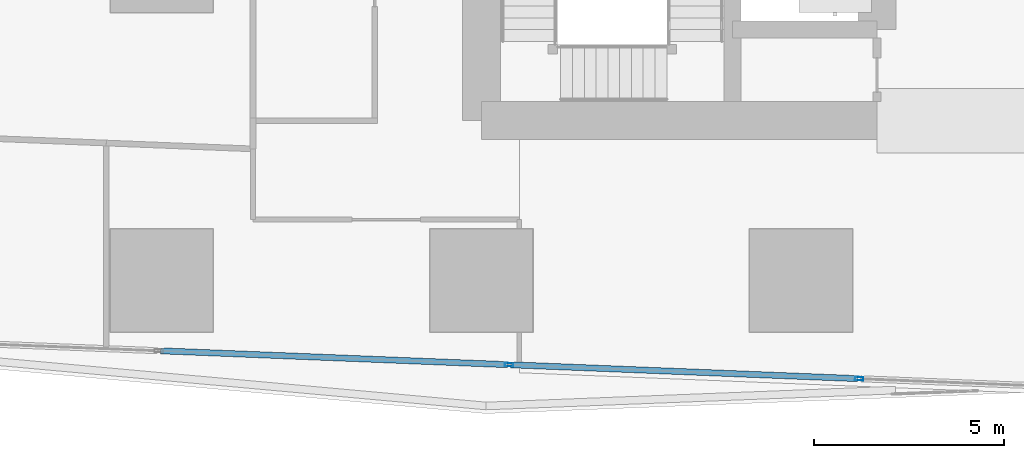
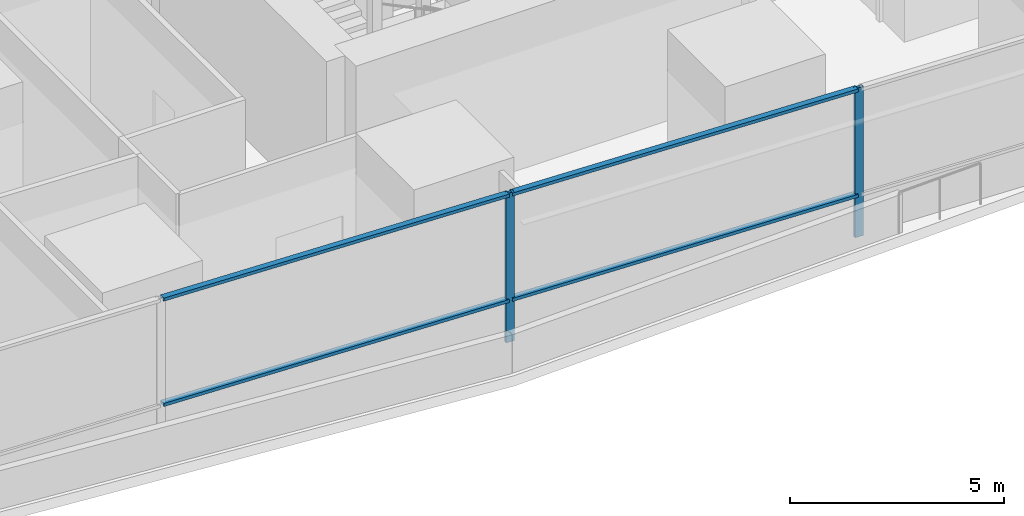
# One storey, part 3 of 39: 6 members, 1 element without a shape of its own.
"""IFC4 building model written with IfcOpenShell, lengths in metres."""

from ifc_helpers import new_model, si_unit, direction, frame, origin, origin_2d, place, context, subcontext, project, spatial, hollow_rectangle, extrude, material, material_profile, profile_set, type_object, element, aggregate, save


model = new_model("IFC4")

# Units and contexts
model_context = context("Model", 3, precision=1e-05, world=origin(), true_north=direction((0.0, 1.0)))
body_context = subcontext(model_context, "Body", "Model", "MODEL_VIEW")
ifc_project = project(units=[si_unit("LENGTHUNIT", "METRE"), si_unit("AREAUNIT", "SQUARE_METRE"), si_unit("VOLUMEUNIT", "CUBIC_METRE"), si_unit("PLANEANGLEUNIT", "RADIAN"), si_unit("MASSUNIT", "GRAM", prefix="KILO")], contexts=[model_context])

# Site, building, storey
site_placement = place(None, origin())
site = spatial("IfcSite", under=ifc_project, at=site_placement, CompositionType="ELEMENT")
building_placement = place(site_placement, origin())
building = spatial("IfcBuilding", under=site, at=building_placement, Name="Rekha Terrace Tower", CompositionType="ELEMENT")
storey_placement = place(building_placement, frame((0.0, 0.0, 168.199951171875)))
storey = spatial("IfcBuildingStorey", under=building, at=storey_placement, Name="L42", CompositionType="ELEMENT", Elevation=168.199951171875)

# Curtain wall, members
ifc_material_1 = material(Name="Aluminium framing", Category="aluminium")
curtain_wall_type = type_object("IfcCurtainWallType", Name="CW5 sky garden glazing", PredefinedType="USERDEFINED", material=ifc_material_1)
curtain_wall_placement = place(storey_placement, origin())
curtain_wall = element("IfcCurtainWall", 1, at=curtain_wall_placement, inside=storey, type_object=curtain_wall_type, Name="CW5 sky garden curtain wall", ObjectType="SKY GARDEN CURTAIN WALL", PredefinedType="USERDEFINED")
ifc_material_2 = material(Name="Aluminium mullion section", Category="aluminium")
ifc_material_profile_1 = material_profile(ifc_material_2, hollow_rectangle(XDim=0.090087890625, YDim=0.219970703125, WallThickness=0.00390625, at=origin_2d()), Name="AL RHS 90x220")
ifc_profile_set_1 = profile_set([ifc_material_profile_1], Name="Aluminium mullion section")
member_type_1 = type_object("IfcMemberType", Name="CW5 mullion RHS 90 x 220", PredefinedType="MULLION", material=ifc_profile_set_1)
member_1_placement = place(storey_placement, frame((25.928955078125, 14.584716796875, 0.0), z_axis=(0.0, 0.0, 1.0), x_axis=(0.039872497044, 0.999204775799, 0.0)))
member_1 = element("IfcMember", 2, at=member_1_placement, type_object=member_type_1, Name="CW5 mullion 3", PredefinedType="MULLION", context=body_context, shape_type="SweptSolid", body=[
    extrude(hollow_rectangle(XDim=0.090087890625, YDim=0.219970703125, WallThickness=0.00390625, at=origin_2d()), origin(), (0.0, 0.0, 1.0), 4.25),
])
member_2_placement = place(storey_placement, frame((35.1318359375, 14.217529296875, 0.0), z_axis=(0.0, 0.0, 1.0), x_axis=(0.039872497044, 0.999204775799, 0.0)))
member_2 = element("IfcMember", 3, at=member_2_placement, type_object=member_type_1, Name="CW5 mullion 4", PredefinedType="MULLION", context=body_context, shape_type="SweptSolid", body=[
    extrude(hollow_rectangle(XDim=0.090087890625, YDim=0.219970703125, WallThickness=0.00390625, at=origin_2d()), origin(), (0.0, 0.0, 1.0), 4.25),
])
ifc_material_3 = material(Name="Aluminium transom section", Category="aluminium")
ifc_material_profile_2 = material_profile(ifc_material_3, hollow_rectangle(XDim=0.159912109375, YDim=0.090087890625, WallThickness=0.0029296875, at=origin_2d()), Name="AL RHS 160x90")
ifc_profile_set_2 = profile_set([ifc_material_profile_2], Name="Aluminium transom section")
member_type_2 = type_object("IfcMemberType", Name="CW5 transom RHS 90 x 160", PredefinedType="USERDEFINED", material=ifc_profile_set_2)
member_3_placement = place(storey_placement, frame((16.77099609375, 14.9501953125, 1.199951171875), z_axis=(0.999205314489, -0.039858995185, 0.0), x_axis=(0.039858995185, 0.999205314489, 0.0)))
member_3 = element("IfcMember", 4, at=member_3_placement, type_object=member_type_2, Name="CW5 transom 2.2", ObjectType="TRANSOM", PredefinedType="USERDEFINED", context=body_context, shape_type="SweptSolid", body=[
    extrude(hollow_rectangle(XDim=0.159912109375, YDim=0.090087890625, WallThickness=0.0029296875, at=origin_2d()), origin(), (0.0, 0.0, 1.0), 9.120361328125),
])
member_4_placement = place(storey_placement, frame((16.77099609375, 14.9501953125, 4.205078125), z_axis=(0.999205314489, -0.039858995185, 0.0), x_axis=(0.039858995185, 0.999205314489, 0.0)))
member_4 = element("IfcMember", 5, at=member_4_placement, type_object=member_type_2, Name="CW5 transom 2.3", ObjectType="TRANSOM", PredefinedType="USERDEFINED", context=body_context, shape_type="SweptSolid", body=[
    extrude(hollow_rectangle(XDim=0.159912109375, YDim=0.090087890625, WallThickness=0.0029296875, at=origin_2d()), origin(), (0.0, 0.0, 1.0), 9.120361328125),
])
member_5_placement = place(storey_placement, frame((25.973876953125, 14.5830078125, 1.199951171875), z_axis=(0.999205314489, -0.039858995185, 0.0), x_axis=(0.039858995185, 0.999205314489, 0.0)))
member_5 = element("IfcMember", 6, at=member_5_placement, type_object=member_type_2, Name="CW5 transom 3.2", ObjectType="TRANSOM", PredefinedType="USERDEFINED", context=body_context, shape_type="SweptSolid", body=[
    extrude(hollow_rectangle(XDim=0.159912109375, YDim=0.090087890625, WallThickness=0.0029296875, at=origin_2d()), origin(), (0.0, 0.0, 1.0), 9.120361328125),
])
member_6_placement = place(storey_placement, frame((25.973876953125, 14.5830078125, 4.205078125), z_axis=(0.999205314489, -0.039858995185, 0.0), x_axis=(0.039858995185, 0.999205314489, 0.0)))
member_6 = element("IfcMember", 7, at=member_6_placement, type_object=member_type_2, Name="CW5 transom 3.3", ObjectType="TRANSOM", PredefinedType="USERDEFINED", context=body_context, shape_type="SweptSolid", body=[
    extrude(hollow_rectangle(XDim=0.159912109375, YDim=0.090087890625, WallThickness=0.0029296875, at=origin_2d()), origin(), (0.0, 0.0, 1.0), 9.120361328125),
])
aggregate(curtain_wall, [member_1, member_2, member_3, member_4, member_5, member_6])

save(model, "model.ifc")
